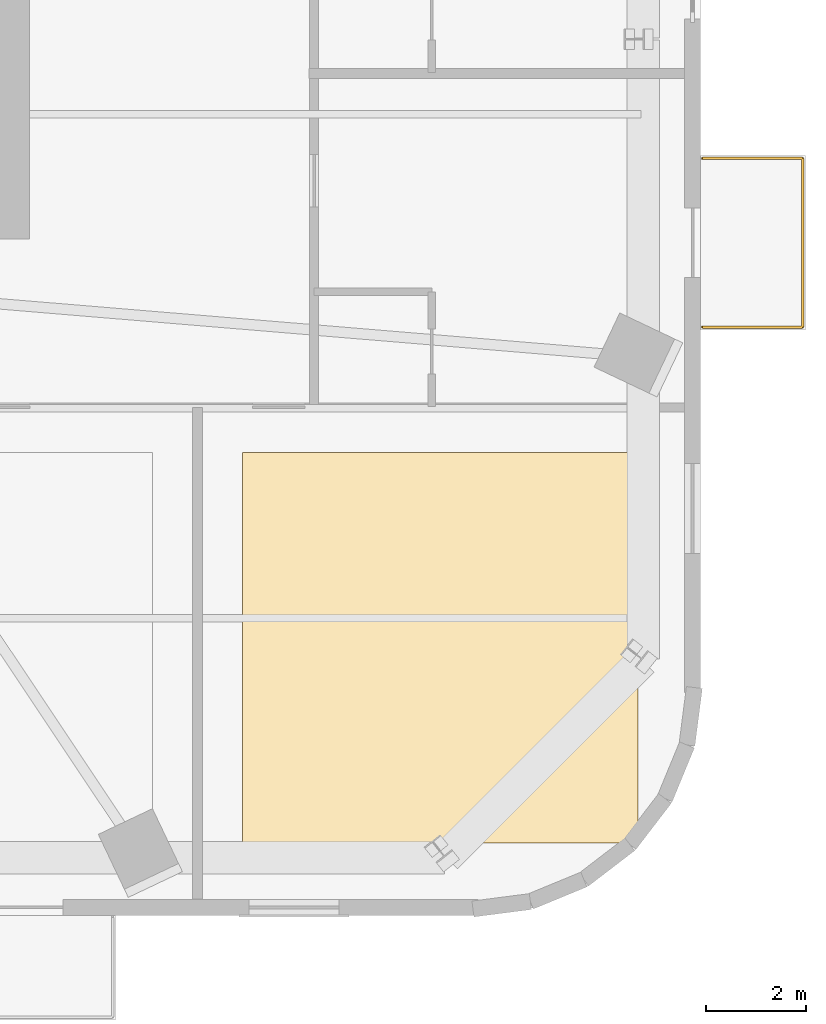
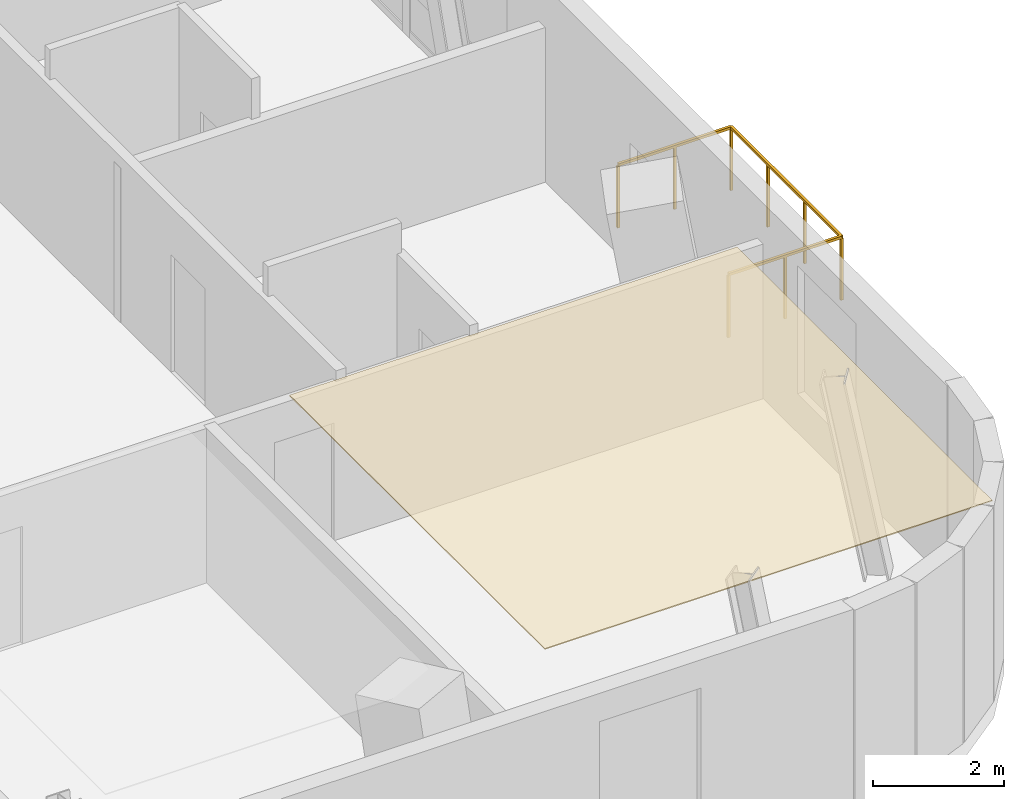
# One storey, part 12 of 14: 1 covering, 1 railing.
"""IFC4 building model written with IfcOpenShell, lengths in metres."""

from ifc_helpers import new_model, si_unit, direction, frame, origin, origin_2d, place, context, subcontext, project, spatial, polyline, rectangle, outline, extrude, source, transform, mapped, material, layer, layer_set, type_object, element, save


model = new_model("IFC4")

# Units and contexts
model_context = context("Model", 3, precision=1e-05, world=origin(), true_north=direction((0.0, 1.0)))
body_context = subcontext(model_context, "Body", "Model", "MODEL_VIEW")
ifc_project = project(units=[si_unit("LENGTHUNIT", "METRE"), si_unit("AREAUNIT", "SQUARE_METRE"), si_unit("VOLUMEUNIT", "CUBIC_METRE"), si_unit("PLANEANGLEUNIT", "RADIAN"), si_unit("MASSUNIT", "GRAM", prefix="KILO")], contexts=[model_context])

# Site, building, storey
site_placement = place(None, origin())
site = spatial("IfcSite", under=ifc_project, at=site_placement, CompositionType="ELEMENT")
building_placement = place(site_placement, origin())
building = spatial("IfcBuilding", under=site, at=building_placement, Name="Vardaveli Station Tower", CompositionType="ELEMENT")
storey_placement = place(building_placement, frame((0.0, 0.0, 270.35009765625)))
storey = spatial("IfcBuildingStorey", under=building, at=storey_placement, Name="L69", CompositionType="ELEMENT", Elevation=270.35009765625)

# Covering
ifc_material_1 = material(Name="Perforated acoustic mineral ceiling")
ifc_layer = layer(ifc_material_1, 0.02001953125, Name="Perforated acoustic mineral ceiling")
ifc_layer_set = layer_set([ifc_layer], Name="Perforated acoustic mineral ceiling")
covering_type = type_object("IfcCoveringType", Name="COV-CEIL-AC20", PredefinedType="CEILING", material=ifc_layer_set)
covering_placement = place(storey_placement, frame((0.0, 0.0, 3.635009765625)))
element("IfcCovering", 1, at=covering_placement, inside=storey, type_object=covering_type, Name="CEIL-L69-5", PredefinedType="CEILING", context=body_context, shape_type="SweptSolid", body=[
    extrude(outline(polyline([(51.070068359375, 5.409912109375), (58.989990234375, 5.409912109375), (58.989990234375, 13.22998046875), (51.070068359375, 13.22998046875), (51.070068359375, 5.409912109375)])), origin(), (0.0, 0.0, 1.0), 0.019775390625),
])

# Railing
ifc_material_2 = material(Name="Laminated glass and stainless steel balustrade", Category="steel")
railing_type = type_object("IfcRailingType", Name="RL-BAL-1200", PredefinedType="BALUSTRADE", material=ifc_material_2)
shared_shape = source(origin(), body_context, "Body", "SweptSolid", [
    extrude(rectangle(XDim=0.048095703125, YDim=0.048095703125, at=origin_2d()), frame((0.0, 0.0, 1.17578125), z_axis=(1.0, 0.0, 0.0), x_axis=(0.0, 1.0, 0.0)), (0.0, 0.0, 1.0), 2.0),
    extrude(rectangle(XDim=0.048095703125, YDim=0.048095703125, at=origin_2d()), frame((2.0, 0.0, 1.17578125), z_axis=(0.0, 1.0, 0.0), x_axis=(-1.0, 0.0, 0.0)), (0.0, 0.0, 1.0), 3.3798828125),
    extrude(rectangle(XDim=0.048095703125, YDim=0.048095703125, at=origin_2d()), frame((2.0, 3.3798828125, 1.17578125), z_axis=(-1.0, 0.0, 0.0), x_axis=(0.0, -1.0, 0.0)), (0.0, 0.0, 1.0), 2.0),
    extrude(rectangle(XDim=0.0419921875, YDim=0.0419921875, at=origin_2d()), origin(), (0.0, 0.0, 1.0), 1.15185546875),
    extrude(rectangle(XDim=0.0419921875, YDim=0.0419921875, at=origin_2d()), frame((1.0, 0.0, 0.0)), (0.0, 0.0, 1.0), 1.15185546875),
    extrude(rectangle(XDim=0.0419921875, YDim=0.0419921875, at=origin_2d()), frame((2.0, 0.0, 0.0)), (0.0, 0.0, 1.0), 1.15185546875),
    extrude(rectangle(XDim=0.0419921875, YDim=0.0419921875, at=origin_2d()), frame((2.0, 1.126708984375, 0.0)), (0.0, 0.0, 1.0), 1.15185546875),
    extrude(rectangle(XDim=0.0419921875, YDim=0.0419921875, at=origin_2d()), frame((2.0, 2.253173828125, 0.0)), (0.0, 0.0, 1.0), 1.15185546875),
    extrude(rectangle(XDim=0.0419921875, YDim=0.0419921875, at=origin_2d()), frame((2.0, 3.3798828125, 0.0)), (0.0, 0.0, 1.0), 1.15185546875),
    extrude(rectangle(XDim=0.0419921875, YDim=0.0419921875, at=origin_2d()), frame((1.0, 3.3798828125, 0.0)), (0.0, 0.0, 1.0), 1.15185546875),
    extrude(rectangle(XDim=0.0419921875, YDim=0.0419921875, at=origin_2d()), frame((0.0, 3.3798828125, 0.0)), (0.0, 0.0, 1.0), 1.15185546875),
])
railing_placement = place(storey_placement, frame((60.280029296875, 15.734619140625, 0.0)))
element("IfcRailing", 2, at=railing_placement, inside=storey, type_object=railing_type, Name="RL-LOG-L69-04", PredefinedType="BALUSTRADE", context=body_context, shape_type="MappedRepresentation", body=[
    mapped(shared_shape, transform((0.0, 0.0, 0.0), scale=1.0)),
])

save(model, "model.ifc")
